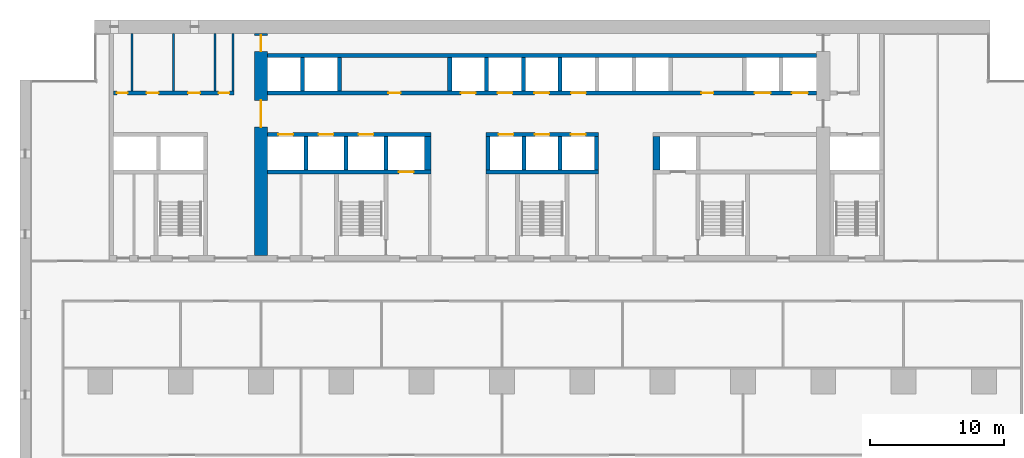
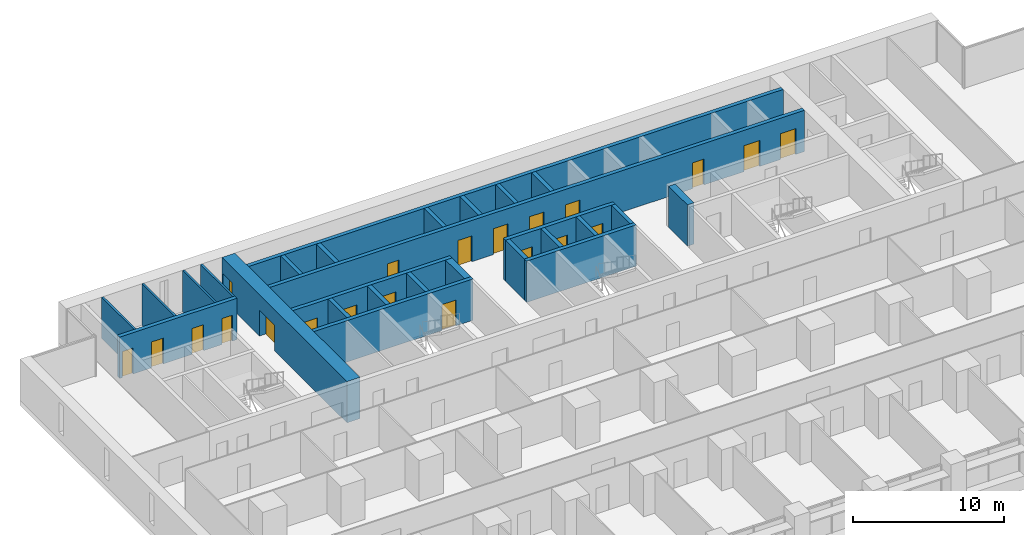
# One storey, part 11 of 18: 27 walls, 21 doors, 21 openings.
"""IFC4 building model written with IfcOpenShell, lengths in metres."""

from ifc_helpers import new_model, si_unit, direction, frame, frame_2d, origin, place, context, subcontext, project, spatial, rectangle, extrude, material, layer, layer_set, type_object, element, fill, save


model = new_model("IFC4")

# Units and contexts
model_context = context("Model", 3, precision=1e-05, world=origin(), true_north=direction((0.0, 1.0)))
body_context = subcontext(model_context, "Body", "Model", "MODEL_VIEW")
ifc_project = project(units=[si_unit("LENGTHUNIT", "METRE"), si_unit("AREAUNIT", "SQUARE_METRE"), si_unit("VOLUMEUNIT", "CUBIC_METRE"), si_unit("PLANEANGLEUNIT", "RADIAN"), si_unit("MASSUNIT", "GRAM", prefix="KILO")], contexts=[model_context])

# Site, building, storey
site_placement = place(None, origin())
site = spatial("IfcSite", under=ifc_project, at=site_placement, CompositionType="ELEMENT")
building_placement = place(site_placement, origin())
building = spatial("IfcBuilding", under=site, at=building_placement, Name="Calvaro Tower", CompositionType="ELEMENT")
storey_placement = place(building_placement, frame((0.0, 0.0, 26.25)))
storey = spatial("IfcBuildingStorey", under=building, at=storey_placement, Name="L05", CompositionType="ELEMENT", Elevation=26.25)

# Walls
ifc_material_1 = material(Name="Blockwork partition", Category="masonry")
ifc_layer_1 = layer(ifc_material_1, 0.14990234375)
ifc_layer_set_1 = layer_set([ifc_layer_1], Name="Blockwork partition")
wall_type_1 = type_object("IfcWallType", Name="Core partition 150 EI 60", PredefinedType="PARTITIONING", material=ifc_layer_set_1)
for number, where, z_axis, x_axis, name in (
    (1, (8.35009765625, 40.699951171875, 0.0), (0.0, 0.0, 1.0), (0.0, 1.0, 0.0), "Core partition"),
    (2, (11.449951171875, 40.699951171875, 0.0), (0.0, 0.0, 1.0), (0.0, 1.0, 0.0), "Core partition"),
    (3, (14.550048828125, 40.699951171875, 0.0), (0.0, 0.0, 1.0), (0.0, 1.0, 0.0), "Core partition"),
):
    element("IfcWall", number, at=place(storey_placement, frame(where, z_axis=z_axis, x_axis=x_axis)), inside=storey, type_object=wall_type_1, Name=name, PredefinedType="PARTITIONING", context=body_context, shape_type="SweptSolid", body=[
        extrude(rectangle(XDim=4.300048828125, YDim=0.14990234375, at=frame_2d((2.14990234375, 0.0))), origin(), (0.0, 0.0, 1.0), 3.35009765625),
    ])
ifc_material_2 = material(Name="Blockwork partition", Category="masonry")
ifc_layer_2 = layer(ifc_material_2, 0.14990234375)
ifc_layer_set_2 = layer_set([ifc_layer_2], Name="Blockwork partition")
wall_type_2 = type_object("IfcWallType", Name="Core partition 150 REI 120", PredefinedType="PARTITIONING", material=ifc_layer_set_2)
wall_1_placement = place(storey_placement, frame((15.925048828125, 40.699951171875, 0.0), z_axis=(0.0, 0.0, 1.0), x_axis=(0.0, 1.0, 0.0)))
element("IfcWall", 4, at=wall_1_placement, inside=storey, type_object=wall_type_2, Name="Core partition", PredefinedType="PARTITIONING", context=body_context, shape_type="SweptSolid", body=[
    extrude(rectangle(XDim=4.300048828125, YDim=0.14990234375, at=frame_2d((2.14990234375, 0.0))), origin(), (0.0, 0.0, 1.0), 3.35009765625),
])

# Wall, openings, doors
ifc_material_3 = material(Name="Blockwork partition", Category="masonry")
ifc_layer_3 = layer(ifc_material_3, 0.300048828125)
ifc_layer_set_3 = layer_set([ifc_layer_3], Name="Blockwork partition")
wall_type_3 = type_object("IfcWallType", Name="Core partition 300 REI 120", PredefinedType="PARTITIONING", material=ifc_layer_set_3)
wall_2_placement = place(storey_placement, frame((7.0, 40.550048828125, 0.0), z_axis=(0.0, 0.0, 1.0), x_axis=(1.0, 0.0, 0.0)))
wall_2 = element("IfcWall", 5, at=wall_2_placement, inside=storey, type_object=wall_type_3, Name="Core partition", PredefinedType="PARTITIONING", context=body_context, shape_type="SweptSolid", body=[
    extrude(rectangle(XDim=9.0, YDim=0.300048828125, at=frame_2d((4.5, 0.0))), origin(), (0.0, 0.0, 1.0), 3.35009765625),
])
opening_1_placement = place(wall_2_placement, frame((0.237548828125, 0.0, 0.0)))
opening_1 = element("IfcOpeningElement", 6, at=opening_1_placement, cuts=wall_2, Name="Opening RD8", PredefinedType="OPENING", context=body_context, shape_type="SweptSolid", body=[
    extrude(rectangle(XDim=0.800048828125, YDim=2.10009765625, at=frame_2d((0.39990234375, 1.050048828125))), frame((0.0, 0.159912109375, 0.0), z_axis=(0.0, -1.0, 0.0), x_axis=(1.0, 0.0, 0.0)), (0.0, 0.0, 1.0), 0.320068359375),
])
opening_2_placement = place(wall_2_placement, frame((2.449951171875, 0.0, 0.0)))
opening_2 = element("IfcOpeningElement", 7, at=opening_2_placement, cuts=wall_2, Name="Opening RD9", PredefinedType="OPENING", context=body_context, shape_type="SweptSolid", body=[
    extrude(rectangle(XDim=0.89990234375, YDim=2.10009765625, at=frame_2d((0.449951171875, 1.050048828125))), frame((0.0, 0.159912109375, 0.0), z_axis=(0.0, -1.0, 0.0), x_axis=(1.0, 0.0, 0.0)), (0.0, 0.0, 1.0), 0.320068359375),
])
opening_3_placement = place(wall_2_placement, frame((5.550048828125, 0.0, 0.0)))
opening_3 = element("IfcOpeningElement", 8, at=opening_3_placement, cuts=wall_2, Name="Opening RD9", PredefinedType="OPENING", context=body_context, shape_type="SweptSolid", body=[
    extrude(rectangle(XDim=0.89990234375, YDim=2.10009765625, at=frame_2d((0.449951171875, 1.050048828125))), frame((0.0, 0.159912109375, 0.0), z_axis=(0.0, -1.0, 0.0), x_axis=(1.0, 0.0, 0.0)), (0.0, 0.0, 1.0), 0.320068359375),
])
opening_4_placement = place(wall_2_placement, frame((7.83740234375, 0.0, 0.0)))
opening_4 = element("IfcOpeningElement", 9, at=opening_4_placement, cuts=wall_2, Name="Opening RD8C", PredefinedType="OPENING", context=body_context, shape_type="SweptSolid", body=[
    extrude(rectangle(XDim=0.800048828125, YDim=2.10009765625, at=frame_2d((0.39990234375, 1.050048828125))), frame((0.0, 0.159912109375, 0.0), z_axis=(0.0, -1.0, 0.0), x_axis=(1.0, 0.0, 0.0)), (0.0, 0.0, 1.0), 0.320068359375),
])
ifc_material_4 = material(Name="Steel door set", Category="steel")
door_type_1 = type_object("IfcDoorType", Name="Room door 800", OperationType="SINGLE_SWING_LEFT", PredefinedType="DOOR", material=ifc_material_4)
door_1_placement = place(opening_1_placement, origin())
door_1 = element("IfcDoor", 10, at=door_1_placement, inside=storey, type_object=door_type_1, Name="Room door", OperationType="SINGLE_SWING_LEFT", OverallHeight=2.10009765625, OverallWidth=0.800048828125, PredefinedType="DOOR", context=body_context, shape_type="SweptSolid", body=[
    extrude(rectangle(XDim=0.800048828125, YDim=2.10009765625, at=frame_2d((0.39990234375, 1.050048828125))), frame((0.0, 0.02490234375, 0.0), z_axis=(0.0, -1.0, 0.0), x_axis=(1.0, 0.0, 0.0)), (0.0, 0.0, 1.0), 0.050048828125),
])
fill(opening_1, door_1)
ifc_material_5 = material(Name="Steel door set", Category="steel")
door_type_2 = type_object("IfcDoorType", Name="Room door 800 FD30", OperationType="SINGLE_SWING_LEFT", PredefinedType="DOOR", material=ifc_material_5)
door_2_placement = place(opening_4_placement, origin())
door_2 = element("IfcDoor", 11, at=door_2_placement, inside=storey, type_object=door_type_2, Name="Room door", OperationType="SINGLE_SWING_RIGHT", OverallHeight=2.10009765625, OverallWidth=0.800048828125, PredefinedType="DOOR", context=body_context, shape_type="SweptSolid", body=[
    extrude(rectangle(XDim=0.800048828125, YDim=2.10009765625, at=frame_2d((0.39990234375, 1.050048828125))), frame((0.0, 0.02490234375, 0.0), z_axis=(0.0, -1.0, 0.0), x_axis=(1.0, 0.0, 0.0)), (0.0, 0.0, 1.0), 0.050048828125),
])
fill(opening_4, door_2)
ifc_material_6 = material(Name="Steel door set", Category="steel")
door_type_3 = type_object("IfcDoorType", Name="Room door 900", OperationType="SINGLE_SWING_LEFT", PredefinedType="DOOR", material=ifc_material_6)
door_3_placement = place(opening_2_placement, origin())
door_3 = element("IfcDoor", 12, at=door_3_placement, inside=storey, type_object=door_type_3, Name="Room door", OperationType="SINGLE_SWING_LEFT", OverallHeight=2.10009765625, OverallWidth=0.89990234375, PredefinedType="DOOR", context=body_context, shape_type="SweptSolid", body=[
    extrude(rectangle(XDim=0.89990234375, YDim=2.10009765625, at=frame_2d((0.449951171875, 1.050048828125))), frame((0.0, 0.02490234375, 0.0), z_axis=(0.0, -1.0, 0.0), x_axis=(1.0, 0.0, 0.0)), (0.0, 0.0, 1.0), 0.050048828125),
])
fill(opening_2, door_3)
door_4_placement = place(opening_3_placement, origin())
door_4 = element("IfcDoor", 13, at=door_4_placement, inside=storey, type_object=door_type_3, Name="Room door", OperationType="SINGLE_SWING_LEFT", OverallHeight=2.10009765625, OverallWidth=0.89990234375, PredefinedType="DOOR", context=body_context, shape_type="SweptSolid", body=[
    extrude(rectangle(XDim=0.89990234375, YDim=2.10009765625, at=frame_2d((0.449951171875, 1.050048828125))), frame((0.0, 0.02490234375, 0.0), z_axis=(0.0, -1.0, 0.0), x_axis=(1.0, 0.0, 0.0)), (0.0, 0.0, 1.0), 0.050048828125),
])
fill(opening_3, door_4)

ifc_material_7 = material(Name="Concrete C80/95", Category="concrete")
ifc_layer_4 = layer(ifc_material_7, 1.0)
ifc_layer_set_4 = layer_set([ifc_layer_4], Name="Concrete C80/95")
wall_type_4 = type_object("IfcWallType", Name="Core wall C80/95 1000", PredefinedType="SHEAR", material=ifc_layer_set_4)
wall_3_placement = place(storey_placement, frame((18.0, 28.39990234375, 0.0), z_axis=(0.0, 0.0, 1.0), x_axis=(0.0, 1.0, 0.0)))
wall_3 = element("IfcWall", 14, at=wall_3_placement, inside=storey, type_object=wall_type_4, Name="Core wall, cross shear wall", PredefinedType="SHEAR", context=body_context, shape_type="SweptSolid", body=[
    extrude(rectangle(XDim=16.60009765625, YDim=1.0, at=frame_2d((8.300048828125, 0.0))), origin(), (0.0, 0.0, 1.0), 3.35009765625),
])
opening_5_placement = place(wall_3_placement, frame((9.60009765625, 0.0, 0.0)))
opening_5 = element("IfcOpeningElement", 15, at=opening_5_placement, cuts=wall_3, Name="Opening DD20D", PredefinedType="OPENING", context=body_context, shape_type="SweptSolid", body=[
    extrude(rectangle(XDim=2.0, YDim=2.10009765625, at=frame_2d((1.0, 1.050048828125))), frame((0.0, 0.510009765625, 0.0), z_axis=(0.0, -1.0, 0.0), x_axis=(1.0, 0.0, 0.0)), (0.0, 0.0, 1.0), 1.02001953125),
])
opening_6_placement = place(wall_3_placement, frame((15.25, 0.0, 0.0)))
opening_6 = element("IfcOpeningElement", 16, at=opening_6_placement, cuts=wall_3, Name="Opening FD12C", PredefinedType="OPENING", context=body_context, shape_type="SweptSolid", body=[
    extrude(rectangle(XDim=1.199951171875, YDim=2.10009765625, at=frame_2d((0.60009765625, 1.050048828125))), frame((0.0, 0.510009765625, 0.0), z_axis=(0.0, -1.0, 0.0), x_axis=(1.0, 0.0, 0.0)), (0.0, 0.0, 1.0), 1.02001953125),
])
ifc_material_8 = material(Name="Steel door set", Category="steel")
door_type_4 = type_object("IfcDoorType", Name="Fire door 1200 FD30", OperationType="SINGLE_SWING_LEFT", PredefinedType="DOOR", material=ifc_material_8)
door_5_placement = place(opening_6_placement, origin())
door_5 = element("IfcDoor", 17, at=door_5_placement, inside=storey, type_object=door_type_4, Name="Fire door", OperationType="SINGLE_SWING_LEFT", OverallHeight=2.10009765625, OverallWidth=1.199951171875, PredefinedType="DOOR", context=body_context, shape_type="SweptSolid", body=[
    extrude(rectangle(XDim=1.199951171875, YDim=2.10009765625, at=frame_2d((0.60009765625, 1.050048828125))), frame((0.0, 0.02490234375, 0.0), z_axis=(0.0, -1.0, 0.0), x_axis=(1.0, 0.0, 0.0)), (0.0, 0.0, 1.0), 0.050048828125),
])
fill(opening_6, door_5)
ifc_material_9 = material(Name="Steel door set", Category="steel")
door_type_5 = type_object("IfcDoorType", Name="Lobby double door 2000 FD30S", OperationType="DOUBLE_DOOR_SINGLE_SWING", PredefinedType="DOOR", material=ifc_material_9)
door_6_placement = place(opening_5_placement, origin())
door_6 = element("IfcDoor", 18, at=door_6_placement, inside=storey, type_object=door_type_5, Name="Lobby double door", OperationType="DOUBLE_DOOR_SINGLE_SWING", OverallHeight=2.10009765625, OverallWidth=2.0, PredefinedType="DOOR", context=body_context, shape_type="SweptSolid", body=[
    extrude(rectangle(XDim=2.0, YDim=2.10009765625, at=frame_2d((1.0, 1.050048828125))), frame((0.0, 0.02490234375, 0.0), z_axis=(0.0, -1.0, 0.0), x_axis=(1.0, 0.0, 0.0)), (0.0, 0.0, 1.0), 0.050048828125),
])
fill(opening_5, door_6)

# Wall, opening, door
ifc_material_10 = material(Name="Concrete C80/95", Category="concrete")
ifc_layer_5 = layer(ifc_material_10, 0.300048828125)
ifc_layer_set_5 = layer_set([ifc_layer_5], Name="Concrete C80/95")
wall_type_5 = type_object("IfcWallType", Name="Core wall C80/95 300", PredefinedType="SHEAR", material=ifc_layer_set_5)
wall_4_placement = place(storey_placement, frame((18.5, 34.64990234375, 0.0), z_axis=(0.0, 0.0, 1.0), x_axis=(1.0, 0.0, 0.0)))
wall_4 = element("IfcWall", 19, at=wall_4_placement, inside=storey, type_object=wall_type_5, Name="Core wall, lift shaft", PredefinedType="SHEAR", context=body_context, shape_type="SweptSolid", body=[
    extrude(rectangle(XDim=12.199951171875, YDim=0.300048828125, at=frame_2d((6.10009765625, 0.0))), origin(), (0.0, 0.0, 1.0), 3.35009765625),
])
opening_7_placement = place(wall_4_placement, frame((9.800048828125, 0.0, 0.0)))
opening_7 = element("IfcOpeningElement", 20, at=opening_7_placement, cuts=wall_4, Name="Opening FF1", PredefinedType="OPENING", context=body_context, shape_type="SweptSolid", body=[
    extrude(rectangle(XDim=1.10009765625, YDim=2.10009765625, at=frame_2d((0.550048828125, 1.050048828125))), frame((0.0, 0.159912109375, 0.0), z_axis=(0.0, -1.0, 0.0), x_axis=(1.0, 0.0, 0.0)), (0.0, 0.0, 1.0), 0.320068359375),
])
ifc_material_11 = material(Name="Stainless steel", Category="steel")
door_type_6 = type_object("IfcDoorType", Name="Landing door 1100 E 60", OperationType="SLIDING_TO_LEFT", PredefinedType="DOOR", material=ifc_material_11)
door_7_placement = place(opening_7_placement, origin())
door_7 = element("IfcDoor", 21, at=door_7_placement, inside=storey, type_object=door_type_6, Name="Landing door FF1", OperationType="SLIDING_TO_LEFT", OverallHeight=2.10009765625, OverallWidth=1.10009765625, PredefinedType="DOOR", context=body_context, shape_type="SweptSolid", body=[
    extrude(rectangle(XDim=1.10009765625, YDim=2.10009765625, at=frame_2d((0.550048828125, 1.050048828125))), frame((0.0, 0.02490234375, 0.0), z_axis=(0.0, -1.0, 0.0), x_axis=(1.0, 0.0, 0.0)), (0.0, 0.0, 1.0), 0.050048828125),
])
fill(opening_7, door_7)

# Wall
wall_5_placement = place(storey_placement, frame((34.800048828125, 34.64990234375, 0.0), z_axis=(0.0, 0.0, 1.0), x_axis=(1.0, 0.0, 0.0)))
element("IfcWall", 22, at=wall_5_placement, inside=storey, type_object=wall_type_5, Name="Core wall, lift shaft", PredefinedType="SHEAR", context=body_context, shape_type="SweptSolid", body=[
    extrude(rectangle(XDim=8.39990234375, YDim=0.300048828125, at=frame_2d((4.199951171875, 0.0))), origin(), (0.0, 0.0, 1.0), 3.35009765625),
])

# Wall, openings, doors
wall_6_placement = place(storey_placement, frame((18.5, 37.449951171875, 0.0), z_axis=(0.0, 0.0, 1.0), x_axis=(1.0, 0.0, 0.0)))
wall_6 = element("IfcWall", 23, at=wall_6_placement, inside=storey, type_object=wall_type_5, Name="Core wall, lift shaft", PredefinedType="SHEAR", context=body_context, shape_type="SweptSolid", body=[
    extrude(rectangle(XDim=12.199951171875, YDim=0.300048828125, at=frame_2d((6.10009765625, 0.0))), origin(), (0.0, 0.0, 1.0), 3.35009765625),
])
opening_8_placement = place(wall_6_placement, frame((0.800048828125, 0.0, 0.0)))
opening_8 = element("IfcOpeningElement", 24, at=opening_8_placement, cuts=wall_6, Name="Opening LR1", PredefinedType="OPENING", context=body_context, shape_type="SweptSolid", body=[
    extrude(rectangle(XDim=1.10009765625, YDim=2.10009765625, at=frame_2d((0.550048828125, 1.050048828125))), frame((0.0, 0.159912109375, 0.0), z_axis=(0.0, -1.0, 0.0), x_axis=(1.0, 0.0, 0.0)), (0.0, 0.0, 1.0), 0.320068359375),
])
opening_9_placement = place(wall_6_placement, frame((3.800048828125, 0.0, 0.0)))
opening_9 = element("IfcOpeningElement", 25, at=opening_9_placement, cuts=wall_6, Name="Opening LR2", PredefinedType="OPENING", context=body_context, shape_type="SweptSolid", body=[
    extrude(rectangle(XDim=1.10009765625, YDim=2.10009765625, at=frame_2d((0.550048828125, 1.050048828125))), frame((0.0, 0.159912109375, 0.0), z_axis=(0.0, -1.0, 0.0), x_axis=(1.0, 0.0, 0.0)), (0.0, 0.0, 1.0), 0.320068359375),
])
opening_10_placement = place(wall_6_placement, frame((6.800048828125, 0.0, 0.0)))
opening_10 = element("IfcOpeningElement", 26, at=opening_10_placement, cuts=wall_6, Name="Opening LR3", PredefinedType="OPENING", context=body_context, shape_type="SweptSolid", body=[
    extrude(rectangle(XDim=1.10009765625, YDim=2.10009765625, at=frame_2d((0.550048828125, 1.050048828125))), frame((0.0, 0.159912109375, 0.0), z_axis=(0.0, -1.0, 0.0), x_axis=(1.0, 0.0, 0.0)), (0.0, 0.0, 1.0), 0.320068359375),
])
door_8_placement = place(opening_8_placement, origin())
door_8 = element("IfcDoor", 27, at=door_8_placement, inside=storey, type_object=door_type_6, Name="Landing door LR1", OperationType="SLIDING_TO_LEFT", OverallHeight=2.10009765625, OverallWidth=1.10009765625, PredefinedType="DOOR", context=body_context, shape_type="SweptSolid", body=[
    extrude(rectangle(XDim=1.10009765625, YDim=2.10009765625, at=frame_2d((0.550048828125, 1.050048828125))), frame((0.0, 0.02490234375, 0.0), z_axis=(0.0, -1.0, 0.0), x_axis=(1.0, 0.0, 0.0)), (0.0, 0.0, 1.0), 0.050048828125),
])
fill(opening_8, door_8)
door_9_placement = place(opening_9_placement, origin())
door_9 = element("IfcDoor", 28, at=door_9_placement, inside=storey, type_object=door_type_6, Name="Landing door LR2", OperationType="SLIDING_TO_LEFT", OverallHeight=2.10009765625, OverallWidth=1.10009765625, PredefinedType="DOOR", context=body_context, shape_type="SweptSolid", body=[
    extrude(rectangle(XDim=1.10009765625, YDim=2.10009765625, at=frame_2d((0.550048828125, 1.050048828125))), frame((0.0, 0.02490234375, 0.0), z_axis=(0.0, -1.0, 0.0), x_axis=(1.0, 0.0, 0.0)), (0.0, 0.0, 1.0), 0.050048828125),
])
fill(opening_9, door_9)
door_10_placement = place(opening_10_placement, origin())
door_10 = element("IfcDoor", 29, at=door_10_placement, inside=storey, type_object=door_type_6, Name="Landing door LR3", OperationType="SLIDING_TO_LEFT", OverallHeight=2.10009765625, OverallWidth=1.10009765625, PredefinedType="DOOR", context=body_context, shape_type="SweptSolid", body=[
    extrude(rectangle(XDim=1.10009765625, YDim=2.10009765625, at=frame_2d((0.550048828125, 1.050048828125))), frame((0.0, 0.02490234375, 0.0), z_axis=(0.0, -1.0, 0.0), x_axis=(1.0, 0.0, 0.0)), (0.0, 0.0, 1.0), 0.050048828125),
])
fill(opening_10, door_10)

wall_7_placement = place(storey_placement, frame((34.800048828125, 37.449951171875, 0.0), z_axis=(0.0, 0.0, 1.0), x_axis=(1.0, 0.0, 0.0)))
wall_7 = element("IfcWall", 30, at=wall_7_placement, inside=storey, type_object=wall_type_5, Name="Core wall, lift shaft", PredefinedType="SHEAR", context=body_context, shape_type="SweptSolid", body=[
    extrude(rectangle(XDim=8.39990234375, YDim=0.300048828125, at=frame_2d((4.199951171875, 0.0))), origin(), (0.0, 0.0, 1.0), 3.35009765625),
])
opening_11_placement = place(wall_7_placement, frame((0.949951171875, 0.0, 0.0)))
opening_11 = element("IfcOpeningElement", 31, at=opening_11_placement, cuts=wall_7, Name="Opening LR4", PredefinedType="OPENING", context=body_context, shape_type="SweptSolid", body=[
    extrude(rectangle(XDim=1.10009765625, YDim=2.10009765625, at=frame_2d((0.550048828125, 1.050048828125))), frame((0.0, 0.159912109375, 0.0), z_axis=(0.0, -1.0, 0.0), x_axis=(1.0, 0.0, 0.0)), (0.0, 0.0, 1.0), 0.320068359375),
])
opening_12_placement = place(wall_7_placement, frame((3.64990234375, 0.0, 0.0)))
opening_12 = element("IfcOpeningElement", 32, at=opening_12_placement, cuts=wall_7, Name="Opening LR5", PredefinedType="OPENING", context=body_context, shape_type="SweptSolid", body=[
    extrude(rectangle(XDim=1.10009765625, YDim=2.10009765625, at=frame_2d((0.550048828125, 1.050048828125))), frame((0.0, 0.159912109375, 0.0), z_axis=(0.0, -1.0, 0.0), x_axis=(1.0, 0.0, 0.0)), (0.0, 0.0, 1.0), 0.320068359375),
])
opening_13_placement = place(wall_7_placement, frame((6.35009765625, 0.0, 0.0)))
opening_13 = element("IfcOpeningElement", 33, at=opening_13_placement, cuts=wall_7, Name="Opening LR6", PredefinedType="OPENING", context=body_context, shape_type="SweptSolid", body=[
    extrude(rectangle(XDim=1.10009765625, YDim=2.10009765625, at=frame_2d((0.550048828125, 1.050048828125))), frame((0.0, 0.159912109375, 0.0), z_axis=(0.0, -1.0, 0.0), x_axis=(1.0, 0.0, 0.0)), (0.0, 0.0, 1.0), 0.320068359375),
])
door_11_placement = place(opening_11_placement, origin())
door_11 = element("IfcDoor", 34, at=door_11_placement, inside=storey, type_object=door_type_6, Name="Landing door LR4", OperationType="SLIDING_TO_LEFT", OverallHeight=2.10009765625, OverallWidth=1.10009765625, PredefinedType="DOOR", context=body_context, shape_type="SweptSolid", body=[
    extrude(rectangle(XDim=1.10009765625, YDim=2.10009765625, at=frame_2d((0.550048828125, 1.050048828125))), frame((0.0, 0.02490234375, 0.0), z_axis=(0.0, -1.0, 0.0), x_axis=(1.0, 0.0, 0.0)), (0.0, 0.0, 1.0), 0.050048828125),
])
fill(opening_11, door_11)
door_12_placement = place(opening_12_placement, origin())
door_12 = element("IfcDoor", 35, at=door_12_placement, inside=storey, type_object=door_type_6, Name="Landing door LR5", OperationType="SLIDING_TO_LEFT", OverallHeight=2.10009765625, OverallWidth=1.10009765625, PredefinedType="DOOR", context=body_context, shape_type="SweptSolid", body=[
    extrude(rectangle(XDim=1.10009765625, YDim=2.10009765625, at=frame_2d((0.550048828125, 1.050048828125))), frame((0.0, 0.02490234375, 0.0), z_axis=(0.0, -1.0, 0.0), x_axis=(1.0, 0.0, 0.0)), (0.0, 0.0, 1.0), 0.050048828125),
])
fill(opening_12, door_12)
door_13_placement = place(opening_13_placement, origin())
door_13 = element("IfcDoor", 36, at=door_13_placement, inside=storey, type_object=door_type_6, Name="Landing door LR6", OperationType="SLIDING_TO_LEFT", OverallHeight=2.10009765625, OverallWidth=1.10009765625, PredefinedType="DOOR", context=body_context, shape_type="SweptSolid", body=[
    extrude(rectangle(XDim=1.10009765625, YDim=2.10009765625, at=frame_2d((0.550048828125, 1.050048828125))), frame((0.0, 0.02490234375, 0.0), z_axis=(0.0, -1.0, 0.0), x_axis=(1.0, 0.0, 0.0)), (0.0, 0.0, 1.0), 0.050048828125),
])
fill(opening_13, door_13)

# Walls
for number, where, z_axis, x_axis, name in (
    (37, (27.35009765625, 34.800048828125, 0.0), (0.0, 0.0, 1.0), (0.0, 1.0, 0.0), "Core wall, lift shaft"),
    (38, (34.949951171875, 34.800048828125, 0.0), (0.0, 0.0, 1.0), (0.0, 1.0, 0.0), "Core wall, lift shaft"),
    (39, (43.050048828125, 34.800048828125, 0.0), (0.0, 0.0, 1.0), (0.0, 1.0, 0.0), "Core wall, lift shaft"),
):
    element("IfcWall", number, at=place(storey_placement, frame(where, z_axis=z_axis, x_axis=x_axis)), inside=storey, type_object=wall_type_5, Name=name, PredefinedType="SHEAR", context=body_context, shape_type="SweptSolid", body=[
        extrude(rectangle(XDim=2.5, YDim=0.300048828125, at=frame_2d((1.25, 0.0))), origin(), (0.0, 0.0, 1.0), 3.35009765625),
    ])

# Wall, openings, doors
wall_8_placement = place(storey_placement, frame((18.5, 40.550048828125, 0.0), z_axis=(0.0, 0.0, 1.0), x_axis=(1.0, 0.0, 0.0)))
wall_8 = element("IfcWall", 40, at=wall_8_placement, inside=storey, type_object=wall_type_5, Name="Core wall, bay", PredefinedType="SHEAR", context=body_context, shape_type="SweptSolid", body=[
    extrude(rectangle(XDim=41.0, YDim=0.300048828125, at=frame_2d((20.5, 0.0))), origin(), (0.0, 0.0, 1.0), 3.35009765625),
])
opening_14_placement = place(wall_8_placement, frame((9.02490234375, 0.0, 0.0)))
opening_14 = element("IfcOpeningElement", 41, at=opening_14_placement, cuts=wall_8, Name="Opening RD9C", PredefinedType="OPENING", context=body_context, shape_type="SweptSolid", body=[
    extrude(rectangle(XDim=0.89990234375, YDim=2.10009765625, at=frame_2d((0.449951171875, 1.050048828125))), frame((0.0, 0.159912109375, 0.0), z_axis=(0.0, -1.0, 0.0), x_axis=(1.0, 0.0, 0.0)), (0.0, 0.0, 1.0), 0.320068359375),
])
opening_15_placement = place(wall_8_placement, frame((32.39990234375, 0.0, 0.0)))
opening_15 = element("IfcOpeningElement", 42, at=opening_15_placement, cuts=wall_8, Name="Opening RD9C", PredefinedType="OPENING", context=body_context, shape_type="SweptSolid", body=[
    extrude(rectangle(XDim=0.89990234375, YDim=2.10009765625, at=frame_2d((0.449951171875, 1.050048828125))), frame((0.0, 0.159912109375, 0.0), z_axis=(0.0, -1.0, 0.0), x_axis=(1.0, 0.0, 0.0)), (0.0, 0.0, 1.0), 0.320068359375),
])
opening_16_placement = place(wall_8_placement, frame((14.425048828125, 0.0, 0.0)))
opening_16 = element("IfcOpeningElement", 43, at=opening_16_placement, cuts=wall_8, Name="Opening LR7", PredefinedType="OPENING", context=body_context, shape_type="SweptSolid", body=[
    extrude(rectangle(XDim=1.10009765625, YDim=2.10009765625, at=frame_2d((0.550048828125, 1.050048828125))), frame((0.0, 0.159912109375, 0.0), z_axis=(0.0, -1.0, 0.0), x_axis=(1.0, 0.0, 0.0)), (0.0, 0.0, 1.0), 0.320068359375),
])
opening_17_placement = place(wall_8_placement, frame((17.175048828125, 0.0, 0.0)))
opening_17 = element("IfcOpeningElement", 44, at=opening_17_placement, cuts=wall_8, Name="Opening LR8", PredefinedType="OPENING", context=body_context, shape_type="SweptSolid", body=[
    extrude(rectangle(XDim=1.10009765625, YDim=2.10009765625, at=frame_2d((0.550048828125, 1.050048828125))), frame((0.0, 0.159912109375, 0.0), z_axis=(0.0, -1.0, 0.0), x_axis=(1.0, 0.0, 0.0)), (0.0, 0.0, 1.0), 0.320068359375),
])
opening_18_placement = place(wall_8_placement, frame((19.925048828125, 0.0, 0.0)))
opening_18 = element("IfcOpeningElement", 45, at=opening_18_placement, cuts=wall_8, Name="Opening LR9", PredefinedType="OPENING", context=body_context, shape_type="SweptSolid", body=[
    extrude(rectangle(XDim=1.10009765625, YDim=2.10009765625, at=frame_2d((0.550048828125, 1.050048828125))), frame((0.0, 0.159912109375, 0.0), z_axis=(0.0, -1.0, 0.0), x_axis=(1.0, 0.0, 0.0)), (0.0, 0.0, 1.0), 0.320068359375),
])
opening_19_placement = place(wall_8_placement, frame((22.675048828125, 0.0, 0.0)))
opening_19 = element("IfcOpeningElement", 46, at=opening_19_placement, cuts=wall_8, Name="Opening LR10", PredefinedType="OPENING", context=body_context, shape_type="SweptSolid", body=[
    extrude(rectangle(XDim=1.10009765625, YDim=2.10009765625, at=frame_2d((0.550048828125, 1.050048828125))), frame((0.0, 0.159912109375, 0.0), z_axis=(0.0, -1.0, 0.0), x_axis=(1.0, 0.0, 0.0)), (0.0, 0.0, 1.0), 0.320068359375),
])
opening_20_placement = place(wall_8_placement, frame((36.375, 0.0, 0.0)))
opening_20 = element("IfcOpeningElement", 47, at=opening_20_placement, cuts=wall_8, Name="Opening SV1", PredefinedType="OPENING", context=body_context, shape_type="SweptSolid", body=[
    extrude(rectangle(XDim=1.199951171875, YDim=2.10009765625, at=frame_2d((0.60009765625, 1.050048828125))), frame((0.0, 0.159912109375, 0.0), z_axis=(0.0, -1.0, 0.0), x_axis=(1.0, 0.0, 0.0)), (0.0, 0.0, 1.0), 0.320068359375),
])
opening_21_placement = place(wall_8_placement, frame((39.14990234375, 0.0, 0.0)))
opening_21 = element("IfcOpeningElement", 48, at=opening_21_placement, cuts=wall_8, Name="Opening SV2", PredefinedType="OPENING", context=body_context, shape_type="SweptSolid", body=[
    extrude(rectangle(XDim=1.199951171875, YDim=2.10009765625, at=frame_2d((0.60009765625, 1.050048828125))), frame((0.0, 0.159912109375, 0.0), z_axis=(0.0, -1.0, 0.0), x_axis=(1.0, 0.0, 0.0)), (0.0, 0.0, 1.0), 0.320068359375),
])
door_14_placement = place(opening_16_placement, origin())
door_14 = element("IfcDoor", 49, at=door_14_placement, inside=storey, type_object=door_type_6, Name="Landing door LR7", OperationType="SLIDING_TO_LEFT", OverallHeight=2.10009765625, OverallWidth=1.10009765625, PredefinedType="DOOR", context=body_context, shape_type="SweptSolid", body=[
    extrude(rectangle(XDim=1.10009765625, YDim=2.10009765625, at=frame_2d((0.550048828125, 1.050048828125))), frame((0.0, 0.02490234375, 0.0), z_axis=(0.0, -1.0, 0.0), x_axis=(1.0, 0.0, 0.0)), (0.0, 0.0, 1.0), 0.050048828125),
])
fill(opening_16, door_14)
door_15_placement = place(opening_17_placement, origin())
door_15 = element("IfcDoor", 50, at=door_15_placement, inside=storey, type_object=door_type_6, Name="Landing door LR8", OperationType="SLIDING_TO_LEFT", OverallHeight=2.10009765625, OverallWidth=1.10009765625, PredefinedType="DOOR", context=body_context, shape_type="SweptSolid", body=[
    extrude(rectangle(XDim=1.10009765625, YDim=2.10009765625, at=frame_2d((0.550048828125, 1.050048828125))), frame((0.0, 0.02490234375, 0.0), z_axis=(0.0, -1.0, 0.0), x_axis=(1.0, 0.0, 0.0)), (0.0, 0.0, 1.0), 0.050048828125),
])
fill(opening_17, door_15)
door_16_placement = place(opening_18_placement, origin())
door_16 = element("IfcDoor", 51, at=door_16_placement, inside=storey, type_object=door_type_6, Name="Landing door LR9", OperationType="SLIDING_TO_LEFT", OverallHeight=2.10009765625, OverallWidth=1.10009765625, PredefinedType="DOOR", context=body_context, shape_type="SweptSolid", body=[
    extrude(rectangle(XDim=1.10009765625, YDim=2.10009765625, at=frame_2d((0.550048828125, 1.050048828125))), frame((0.0, 0.02490234375, 0.0), z_axis=(0.0, -1.0, 0.0), x_axis=(1.0, 0.0, 0.0)), (0.0, 0.0, 1.0), 0.050048828125),
])
fill(opening_18, door_16)
door_17_placement = place(opening_19_placement, origin())
door_17 = element("IfcDoor", 52, at=door_17_placement, inside=storey, type_object=door_type_6, Name="Landing door LR10", OperationType="SLIDING_TO_LEFT", OverallHeight=2.10009765625, OverallWidth=1.10009765625, PredefinedType="DOOR", context=body_context, shape_type="SweptSolid", body=[
    extrude(rectangle(XDim=1.10009765625, YDim=2.10009765625, at=frame_2d((0.550048828125, 1.050048828125))), frame((0.0, 0.02490234375, 0.0), z_axis=(0.0, -1.0, 0.0), x_axis=(1.0, 0.0, 0.0)), (0.0, 0.0, 1.0), 0.050048828125),
])
fill(opening_19, door_17)
ifc_material_12 = material(Name="Stainless steel", Category="steel")
door_type_7 = type_object("IfcDoorType", Name="Landing door 1200 E 60", OperationType="SLIDING_TO_LEFT", PredefinedType="DOOR", material=ifc_material_12)
door_18_placement = place(opening_20_placement, origin())
door_18 = element("IfcDoor", 53, at=door_18_placement, inside=storey, type_object=door_type_7, Name="Landing door SV1", OperationType="SLIDING_TO_LEFT", OverallHeight=2.10009765625, OverallWidth=1.199951171875, PredefinedType="DOOR", context=body_context, shape_type="SweptSolid", body=[
    extrude(rectangle(XDim=1.199951171875, YDim=2.10009765625, at=frame_2d((0.60009765625, 1.050048828125))), frame((0.0, 0.02490234375, 0.0), z_axis=(0.0, -1.0, 0.0), x_axis=(1.0, 0.0, 0.0)), (0.0, 0.0, 1.0), 0.050048828125),
])
fill(opening_20, door_18)
door_19_placement = place(opening_21_placement, origin())
door_19 = element("IfcDoor", 54, at=door_19_placement, inside=storey, type_object=door_type_7, Name="Landing door SV2", OperationType="SLIDING_TO_LEFT", OverallHeight=2.10009765625, OverallWidth=1.199951171875, PredefinedType="DOOR", context=body_context, shape_type="SweptSolid", body=[
    extrude(rectangle(XDim=1.199951171875, YDim=2.10009765625, at=frame_2d((0.60009765625, 1.050048828125))), frame((0.0, 0.02490234375, 0.0), z_axis=(0.0, -1.0, 0.0), x_axis=(1.0, 0.0, 0.0)), (0.0, 0.0, 1.0), 0.050048828125),
])
fill(opening_21, door_19)
ifc_material_13 = material(Name="Steel door set", Category="steel")
door_type_8 = type_object("IfcDoorType", Name="Room door 900 FD30", OperationType="SINGLE_SWING_LEFT", PredefinedType="DOOR", material=ifc_material_13)
door_20_placement = place(opening_14_placement, origin())
door_20 = element("IfcDoor", 55, at=door_20_placement, inside=storey, type_object=door_type_8, Name="Room door", OperationType="SINGLE_SWING_RIGHT", OverallHeight=2.10009765625, OverallWidth=0.89990234375, PredefinedType="DOOR", context=body_context, shape_type="SweptSolid", body=[
    extrude(rectangle(XDim=0.89990234375, YDim=2.10009765625, at=frame_2d((0.449951171875, 1.050048828125))), frame((0.0, 0.02490234375, 0.0), z_axis=(0.0, -1.0, 0.0), x_axis=(1.0, 0.0, 0.0)), (0.0, 0.0, 1.0), 0.050048828125),
])
fill(opening_14, door_20)
door_21_placement = place(opening_15_placement, origin())
door_21 = element("IfcDoor", 56, at=door_21_placement, inside=storey, type_object=door_type_8, Name="Room door", OperationType="SINGLE_SWING_LEFT", OverallHeight=2.10009765625, OverallWidth=0.89990234375, PredefinedType="DOOR", context=body_context, shape_type="SweptSolid", body=[
    extrude(rectangle(XDim=0.89990234375, YDim=2.10009765625, at=frame_2d((0.449951171875, 1.050048828125))), frame((0.0, 0.02490234375, 0.0), z_axis=(0.0, -1.0, 0.0), x_axis=(1.0, 0.0, 0.0)), (0.0, 0.0, 1.0), 0.050048828125),
])
fill(opening_15, door_21)

# Walls
wall_9_placement = place(storey_placement, frame((18.5, 43.35009765625, 0.0), z_axis=(0.0, 0.0, 1.0), x_axis=(1.0, 0.0, 0.0)))
element("IfcWall", 57, at=wall_9_placement, inside=storey, type_object=wall_type_5, Name="Core wall, lift shaft", PredefinedType="SHEAR", context=body_context, shape_type="SweptSolid", body=[
    extrude(rectangle(XDim=41.0, YDim=0.300048828125, at=frame_2d((20.5, 0.0))), origin(), (0.0, 0.0, 1.0), 3.35009765625),
])
for number, where, z_axis, x_axis, name in (
    (58, (21.35009765625, 34.800048828125, 0.0), (0.0, 0.0, 1.0), (0.0, 1.0, 0.0), "Core wall, lift shaft"),
    (59, (24.35009765625, 34.800048828125, 0.0), (0.0, 0.0, 1.0), (0.0, 1.0, 0.0), "Core wall, lift shaft"),
    (60, (37.64990234375, 34.800048828125, 0.0), (0.0, 0.0, 1.0), (0.0, 1.0, 0.0), "Core wall, lift shaft"),
    (61, (40.35009765625, 34.800048828125, 0.0), (0.0, 0.0, 1.0), (0.0, 1.0, 0.0), "Core wall, lift shaft"),
    (62, (21.10009765625, 40.699951171875, 0.0), (0.0, 0.0, 1.0), (0.0, 1.0, 0.0), "Core wall, lift shaft"),
    (63, (23.85009765625, 40.699951171875, 0.0), (0.0, 0.0, 1.0), (0.0, 1.0, 0.0), "Core wall, lift shaft"),
    (64, (32.10009765625, 40.699951171875, 0.0), (0.0, 0.0, 1.0), (0.0, 1.0, 0.0), "Core wall, lift shaft"),
    (65, (34.85009765625, 40.699951171875, 0.0), (0.0, 0.0, 1.0), (0.0, 1.0, 0.0), "Core wall, lift shaft"),
    (66, (37.60009765625, 40.699951171875, 0.0), (0.0, 0.0, 1.0), (0.0, 1.0, 0.0), "Core wall, lift shaft"),
    (67, (40.35009765625, 40.699951171875, 0.0), (0.0, 0.0, 1.0), (0.0, 1.0, 0.0), "Core wall, lift shaft"),
):
    element("IfcWall", number, at=place(storey_placement, frame(where, z_axis=z_axis, x_axis=x_axis)), inside=storey, type_object=wall_type_5, Name=name, PredefinedType="SHEAR", context=body_context, shape_type="SweptSolid", body=[
        extrude(rectangle(XDim=2.5, YDim=0.300048828125, at=frame_2d((1.25, 0.0))), origin(), (0.0, 0.0, 1.0), 3.35009765625),
    ])
ifc_material_14 = material(Name="Concrete C80/95", Category="concrete")
ifc_layer_6 = layer(ifc_material_14, 0.5)
ifc_layer_set_6 = layer_set([ifc_layer_6], Name="Concrete C80/95")
wall_type_6 = type_object("IfcWallType", Name="Core wall C80/95 500", PredefinedType="SHEAR", material=ifc_layer_set_6)
for number, where, z_axis, x_axis, name in (
    (68, (30.449951171875, 34.800048828125, 0.0), (0.0, 0.0, 1.0), (0.0, 1.0, 0.0), "Core wall, lift shaft"),
    (69, (47.550048828125, 34.800048828125, 0.0), (0.0, 0.0, 1.0), (0.0, 1.0, 0.0), "Core wall, lift shaft"),
):
    element("IfcWall", number, at=place(storey_placement, frame(where, z_axis=z_axis, x_axis=x_axis)), inside=storey, type_object=wall_type_6, Name=name, PredefinedType="SHEAR", context=body_context, shape_type="SweptSolid", body=[
        extrude(rectangle(XDim=2.5, YDim=0.5, at=frame_2d((1.25, 0.0))), origin(), (0.0, 0.0, 1.0), 3.35009765625),
    ])

save(model, "model.ifc")
